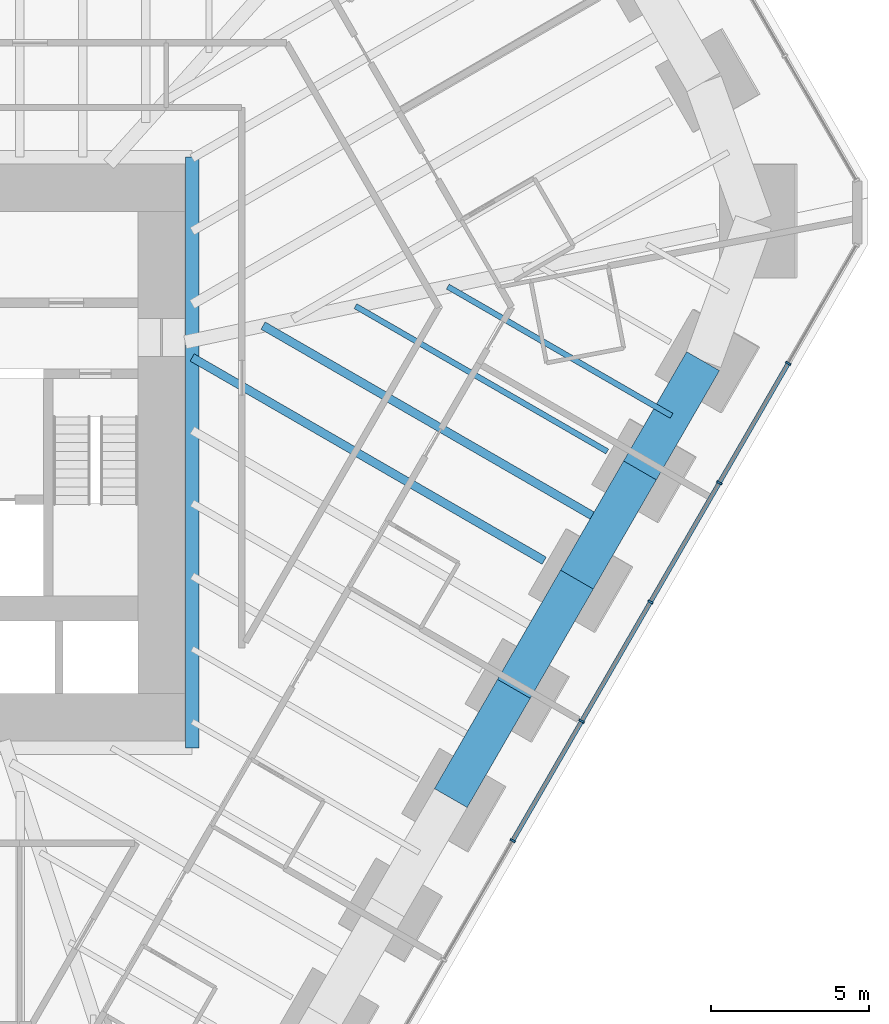
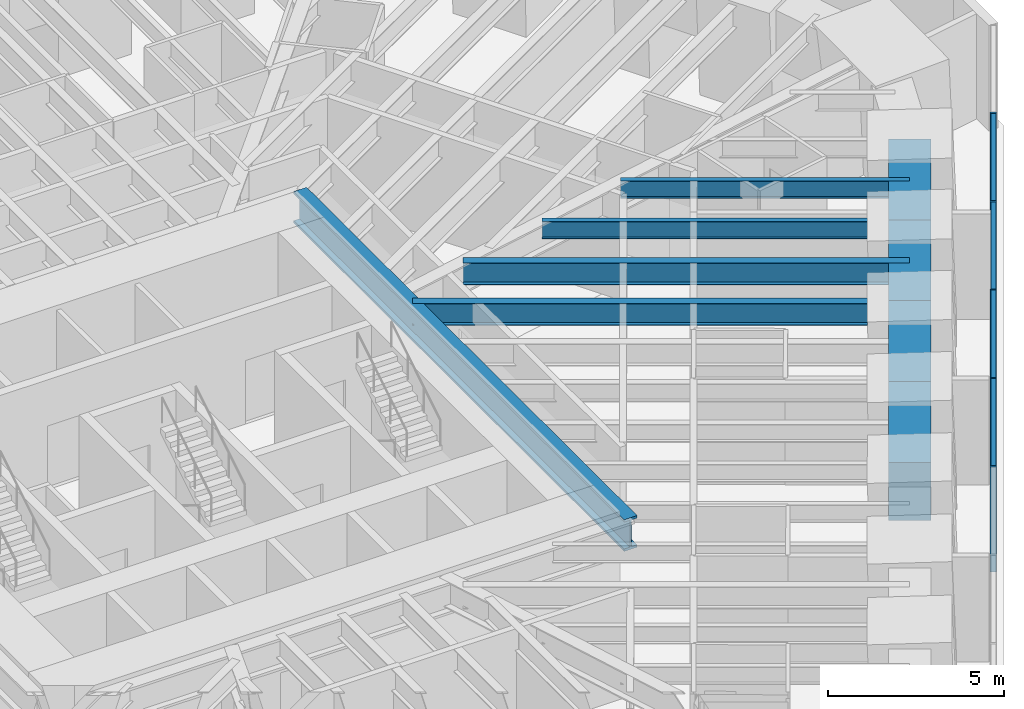
# One storey, part 6 of 17: 9 beams, 9 members, 1 element without a shape of its own.
"""IFC4 building model written with IfcOpenShell, lengths in metres."""

from ifc_helpers import new_model, si_unit, direction, frame, origin, origin_2d, place, context, subcontext, project, spatial, rectangle, i_section, extrude, material, material_profile, profile_set, type_object, element, aggregate, save


model = new_model("IFC4")

# Units and contexts
model_context = context("Model", 3, precision=1e-05, world=origin(), true_north=direction((0.0, 1.0)))
body_context = subcontext(model_context, "Body", "Model", "MODEL_VIEW")
ifc_project = project(units=[si_unit("LENGTHUNIT", "METRE"), si_unit("AREAUNIT", "SQUARE_METRE"), si_unit("VOLUMEUNIT", "CUBIC_METRE"), si_unit("PLANEANGLEUNIT", "RADIAN"), si_unit("MASSUNIT", "GRAM", prefix="KILO")], contexts=[model_context])

# Site, building, storey
site_placement = place(None, origin())
site = spatial("IfcSite", under=ifc_project, at=site_placement, CompositionType="ELEMENT")
building_placement = place(site_placement, origin())
building = spatial("IfcBuilding", under=site, at=building_placement, Name="Sandreach Pilgrim Tower", CompositionType="ELEMENT")
storey_placement = place(building_placement, frame((0.0, 0.0, 83.800048828125)))
storey = spatial("IfcBuildingStorey", under=building, at=storey_placement, Name="L20", CompositionType="ELEMENT", Elevation=83.800048828125)

# Curtain wall, members
ifc_material_1 = material(Name="Aluminium framed curtain wall", Category="aluminium")
curtain_wall_type = type_object("IfcCurtainWallType", Name="Hostel tower curtain wall", PredefinedType="NOTDEFINED", material=ifc_material_1)
curtain_wall_placement = place(storey_placement, origin())
curtain_wall = element("IfcCurtainWall", 1, at=curtain_wall_placement, inside=storey, type_object=curtain_wall_type, Name="CW-1 L20 SE", PredefinedType="NOTDEFINED")
ifc_material_2 = material(Name="Aluminium extrusion", Category="aluminium")
ifc_material_profile_1 = material_profile(ifc_material_2, rectangle(XDim=0.06494140625, YDim=0.179931640625, at=origin_2d()), Name="CW-1M 65X180")
ifc_profile_set_1 = profile_set([ifc_material_profile_1], Name="Aluminium extrusion")
member_type_1 = type_object("IfcMemberType", Name="CW-1 mullion", PredefinedType="MULLION", material=ifc_profile_set_1)
member_1_placement = place(storey_placement, frame((28.390380859375, 1.2763671875, 0.0), z_axis=(0.0, 0.0, 1.0), x_axis=(-0.5, -0.866025403784, 0.0)))
member_1 = element("IfcMember", 2, at=member_1_placement, type_object=member_type_1, Name="CW-1 mullion 2", PredefinedType="MULLION", context=body_context, shape_type="SweptSolid", body=[
    extrude(rectangle(XDim=0.06494140625, YDim=0.179931640625, at=origin_2d()), origin(), (0.0, 0.0, 1.0), 3.639892578125),
])
member_2_placement = place(storey_placement, frame((26.20458984375, -2.509521484375, 0.0), z_axis=(0.0, 0.0, 1.0), x_axis=(-0.5, -0.866025403784, 0.0)))
member_2 = element("IfcMember", 3, at=member_2_placement, type_object=member_type_1, Name="CW-1 mullion 3", PredefinedType="MULLION", context=body_context, shape_type="SweptSolid", body=[
    extrude(rectangle(XDim=0.06494140625, YDim=0.179931640625, at=origin_2d()), origin(), (0.0, 0.0, 1.0), 3.639892578125),
])
member_3_placement = place(storey_placement, frame((24.018798828125, -6.29541015625, 0.0), z_axis=(0.0, 0.0, 1.0), x_axis=(-0.5, -0.866025403784, 0.0)))
member_3 = element("IfcMember", 4, at=member_3_placement, type_object=member_type_1, Name="CW-1 mullion 4", PredefinedType="MULLION", context=body_context, shape_type="SweptSolid", body=[
    extrude(rectangle(XDim=0.06494140625, YDim=0.179931640625, at=origin_2d()), origin(), (0.0, 0.0, 1.0), 3.639892578125),
])
member_4_placement = place(storey_placement, frame((21.8330078125, -10.081298828125, 0.0), z_axis=(0.0, 0.0, 1.0), x_axis=(-0.5, -0.866025403784, 0.0)))
member_4 = element("IfcMember", 5, at=member_4_placement, type_object=member_type_1, Name="CW-1 mullion 5", PredefinedType="MULLION", context=body_context, shape_type="SweptSolid", body=[
    extrude(rectangle(XDim=0.06494140625, YDim=0.179931640625, at=origin_2d()), origin(), (0.0, 0.0, 1.0), 3.639892578125),
])
member_5_placement = place(storey_placement, frame((19.647216796875, -13.8671875, 0.0), z_axis=(0.0, 0.0, 1.0), x_axis=(-0.5, -0.866025403784, 0.0)))
member_5 = element("IfcMember", 6, at=member_5_placement, type_object=member_type_1, Name="CW-1 mullion 6", PredefinedType="MULLION", context=body_context, shape_type="SweptSolid", body=[
    extrude(rectangle(XDim=0.06494140625, YDim=0.179931640625, at=origin_2d()), origin(), (0.0, 0.0, 1.0), 3.639892578125),
])
ifc_material_3 = material(Name="Aluminium extrusion", Category="aluminium")
ifc_material_profile_2 = material_profile(ifc_material_3, rectangle(XDim=0.139892578125, YDim=0.070068359375, at=origin_2d()), Name="CW-1T 140X70")
ifc_profile_set_2 = profile_set([ifc_material_profile_2], Name="Aluminium extrusion")
member_type_2 = type_object("IfcMemberType", Name="CW-1 transom", PredefinedType="USERDEFINED", material=ifc_profile_set_2)
member_6_placement = place(storey_placement, frame((28.374267578125, 1.248046875, 3.60498046875), z_axis=(-0.500016891966, -0.866015650984, 0.0), x_axis=(0.866015650984, -0.500016891966, 0.0)))
member_6 = element("IfcMember", 7, at=member_6_placement, type_object=member_type_2, Name="CW-1 head transom 2", ObjectType="TRANSOM", PredefinedType="USERDEFINED", context=body_context, shape_type="SweptSolid", body=[
    extrude(rectangle(XDim=0.139892578125, YDim=0.070068359375, at=origin_2d()), origin(), (0.0, 0.0, 1.0), 4.306396484375),
])
member_7_placement = place(storey_placement, frame((26.1884765625, -2.537841796875, 3.60498046875), z_axis=(-0.500016891966, -0.866015650984, 0.0), x_axis=(0.866015650984, -0.500016891966, 0.0)))
member_7 = element("IfcMember", 8, at=member_7_placement, type_object=member_type_2, Name="CW-1 head transom 3", ObjectType="TRANSOM", PredefinedType="USERDEFINED", context=body_context, shape_type="SweptSolid", body=[
    extrude(rectangle(XDim=0.139892578125, YDim=0.070068359375, at=origin_2d()), origin(), (0.0, 0.0, 1.0), 4.306396484375),
])
member_8_placement = place(storey_placement, frame((24.002685546875, -6.32373046875, 3.60498046875), z_axis=(-0.500016891966, -0.866015650984, 0.0), x_axis=(0.866015650984, -0.500016891966, 0.0)))
member_8 = element("IfcMember", 9, at=member_8_placement, type_object=member_type_2, Name="CW-1 head transom 4", ObjectType="TRANSOM", PredefinedType="USERDEFINED", context=body_context, shape_type="SweptSolid", body=[
    extrude(rectangle(XDim=0.139892578125, YDim=0.070068359375, at=origin_2d()), origin(), (0.0, 0.0, 1.0), 4.306396484375),
])
member_9_placement = place(storey_placement, frame((21.81689453125, -10.109619140625, 3.60498046875), z_axis=(-0.500016891966, -0.866015650984, 0.0), x_axis=(0.866015650984, -0.500016891966, 0.0)))
member_9 = element("IfcMember", 10, at=member_9_placement, type_object=member_type_2, Name="CW-1 head transom 5", ObjectType="TRANSOM", PredefinedType="USERDEFINED", context=body_context, shape_type="SweptSolid", body=[
    extrude(rectangle(XDim=0.139892578125, YDim=0.070068359375, at=origin_2d()), origin(), (0.0, 0.0, 1.0), 4.306396484375),
])
aggregate(curtain_wall, [member_1, member_2, member_3, member_4, member_5, member_6, member_7, member_8, member_9])

# Beams
ifc_material_4 = material(Name="Steel ASTM A992 Grade 50", Category="steel")
ifc_material_profile_3 = material_profile(ifc_material_4, i_section(OverallWidth=0.424072265625, OverallDepth=1.09228515625, WebThickness=0.04541015625, FlangeThickness=0.08203125, at=origin_2d()), Name="W40X593")
ifc_profile_set_3 = profile_set([ifc_material_profile_3], Name="Steel ASTM A992 Grade 50")
beam_type_1 = type_object("IfcBeamType", Name="Core edge beam W40X593", PredefinedType="BEAM", material=ifc_profile_set_3)
beam_1_placement = place(storey_placement, frame((9.47216796875, 7.822021484375, 3.09375), z_axis=(0.0, -1.0, 0.0), x_axis=(1.0, 0.0, 0.0)))
element("IfcBeam", 11, at=beam_1_placement, inside=storey, type_object=beam_type_1, Name="BM L20 CEE", PredefinedType="BEAM", context=body_context, shape_type="SweptSolid", body=[
    extrude(i_section(OverallWidth=0.424072265625, OverallDepth=1.09228515625, WebThickness=0.04541015625, FlangeThickness=0.08203125, at=origin_2d()), origin(), (0.0, 0.0, 1.0), 18.744140625),
])
ifc_material_5 = material(Name="Steel ASTM A992 Grade 50", Category="steel")
ifc_material_profile_4 = material_profile(ifc_material_5, i_section(OverallWidth=0.1787109375, OverallDepth=0.60205078125, WebThickness=0.010986328125, FlangeThickness=0.014892578125, at=origin_2d()), Name="W24X62")
ifc_profile_set_4 = profile_set([ifc_material_profile_4], Name="Steel ASTM A992 Grade 50")
beam_type_2 = type_object("IfcBeamType", Name="Floor beam W24X62", PredefinedType="BEAM", material=ifc_profile_set_4)
beam_2_placement = place(storey_placement, frame((22.645751953125, -1.519775390625, 3.3388671875), z_axis=(-0.866030059181, 0.499991936529, 0.0), x_axis=(-0.499991936529, -0.866030059181, 0.0)))
element("IfcBeam", 12, at=beam_2_placement, inside=storey, type_object=beam_type_2, Name="BM L20 F15", PredefinedType="BEAM", context=body_context, shape_type="SweptSolid", body=[
    extrude(i_section(OverallWidth=0.1787109375, OverallDepth=0.60205078125, WebThickness=0.010986328125, FlangeThickness=0.014892578125, at=origin_2d()), origin(), (0.0, 0.0, 1.0), 9.227783203125),
])
beam_3_placement = place(storey_placement, frame((24.685791015625, -0.38671875, 3.3388671875), z_axis=(-0.866020958405, 0.500007699544, 0.0), x_axis=(-0.500007699544, -0.866020958405, 0.0)))
element("IfcBeam", 13, at=beam_3_placement, inside=storey, type_object=beam_type_2, Name="BM L20 FM14", PredefinedType="BEAM", context=body_context, shape_type="SweptSolid", body=[
    extrude(i_section(OverallWidth=0.1787109375, OverallDepth=0.60205078125, WebThickness=0.010986328125, FlangeThickness=0.014892578125, at=origin_2d()), origin(), (0.0, 0.0, 1.0), 8.198974609375),
])
ifc_material_6 = material(Name="Steel ASTM A992 Grade 50", Category="steel")
ifc_material_profile_5 = material_profile(ifc_material_6, i_section(OverallWidth=0.2666015625, OverallDepth=0.761962890625, WebThickness=0.014404296875, FlangeThickness=0.021484375, at=origin_2d()), Name="W30X116")
ifc_profile_set_5 = profile_set([ifc_material_profile_5], Name="Steel ASTM A992 Grade 50")
beam_type_3 = type_object("IfcBeamType", Name="Floor beam W30X116", PredefinedType="BEAM", material=ifc_profile_set_5)
beam_4_placement = place(storey_placement, frame((20.64453125, -4.986328125, 3.259033203125), z_axis=(-0.866022970146, 0.500004215162, 0.0), x_axis=(-0.500004215162, -0.866022970146, 0.0)))
element("IfcBeam", 14, at=beam_4_placement, inside=storey, type_object=beam_type_3, Name="BM L20 F16", PredefinedType="BEAM", context=body_context, shape_type="SweptSolid", body=[
    extrude(i_section(OverallWidth=0.2666015625, OverallDepth=0.761962890625, WebThickness=0.014404296875, FlangeThickness=0.021484375, at=origin_2d()), origin(), (0.0, 0.0, 1.0), 12.90087890625),
])
beam_5_placement = place(storey_placement, frame((22.684326171875, -3.85302734375, 3.259033203125), z_axis=(-0.866031398331, 0.499989616998, 0.0), x_axis=(-0.499989616998, -0.866031398331, 0.0)))
element("IfcBeam", 15, at=beam_5_placement, inside=storey, type_object=beam_type_3, Name="BM L20 FM15", PredefinedType="BEAM", context=body_context, shape_type="SweptSolid", body=[
    extrude(i_section(OverallWidth=0.2666015625, OverallDepth=0.761962890625, WebThickness=0.014404296875, FlangeThickness=0.021484375, at=origin_2d()), origin(), (0.0, 0.0, 1.0), 12.656494140625),
])
ifc_material_7 = material(Name="Concrete 10000 psi", Category="concrete")
ifc_material_profile_6 = material_profile(ifc_material_7, rectangle(XDim=1.199951171875, YDim=2.0, at=origin_2d()), Name="RC1200X2000")
ifc_profile_set_6 = profile_set([ifc_material_profile_6], Name="Concrete 10000 psi")
beam_type_4 = type_object("IfcBeamType", Name="Spandrel beam RC1200X2000", PredefinedType="SPANDREL", material=ifc_profile_set_6)
beam_6_placement = place(storey_placement, frame((25.6865234375, 1.3466796875, 2.639892578125), z_axis=(-0.500009310088, -0.866020028536, 0.0), x_axis=(0.866020028536, -0.500009310088, 0.0)))
element("IfcBeam", 16, at=beam_6_placement, inside=storey, type_object=beam_type_4, Name="BM L20 SP14", PredefinedType="SPANDREL", context=body_context, shape_type="SweptSolid", body=[
    extrude(rectangle(XDim=1.199951171875, YDim=2.0, at=origin_2d()), origin(), (0.0, 0.0, 1.0), 4.0029296875),
])
beam_7_placement = place(storey_placement, frame((23.68505859375, -2.119873046875, 2.639892578125), z_axis=(-0.499989975679, -0.866031191252, 0.0), x_axis=(0.866031191252, -0.499989975679, 0.0)))
element("IfcBeam", 17, at=beam_7_placement, inside=storey, type_object=beam_type_4, Name="BM L20 SP15", PredefinedType="SPANDREL", context=body_context, shape_type="SweptSolid", body=[
    extrude(rectangle(XDim=1.199951171875, YDim=2.0, at=origin_2d()), origin(), (0.0, 0.0, 1.0), 4.00244140625),
])
beam_8_placement = place(storey_placement, frame((21.683837890625, -5.586181640625, 2.639892578125), z_axis=(-0.500009310088, -0.866020028536, 0.0), x_axis=(0.866020028536, -0.500009310088, 0.0)))
element("IfcBeam", 18, at=beam_8_placement, inside=storey, type_object=beam_type_4, Name="BM L20 SP16", PredefinedType="SPANDREL", context=body_context, shape_type="SweptSolid", body=[
    extrude(rectangle(XDim=1.199951171875, YDim=2.0, at=origin_2d()), origin(), (0.0, 0.0, 1.0), 4.0029296875),
])
beam_9_placement = place(storey_placement, frame((19.682373046875, -9.052734375, 2.639892578125), z_axis=(-0.499989975679, -0.866031191252, 0.0), x_axis=(0.866031191252, -0.499989975679, 0.0)))
element("IfcBeam", 19, at=beam_9_placement, inside=storey, type_object=beam_type_4, Name="BM L20 SP17", PredefinedType="SPANDREL", context=body_context, shape_type="SweptSolid", body=[
    extrude(rectangle(XDim=1.199951171875, YDim=2.0, at=origin_2d()), origin(), (0.0, 0.0, 1.0), 4.00244140625),
])

save(model, "model.ifc")
